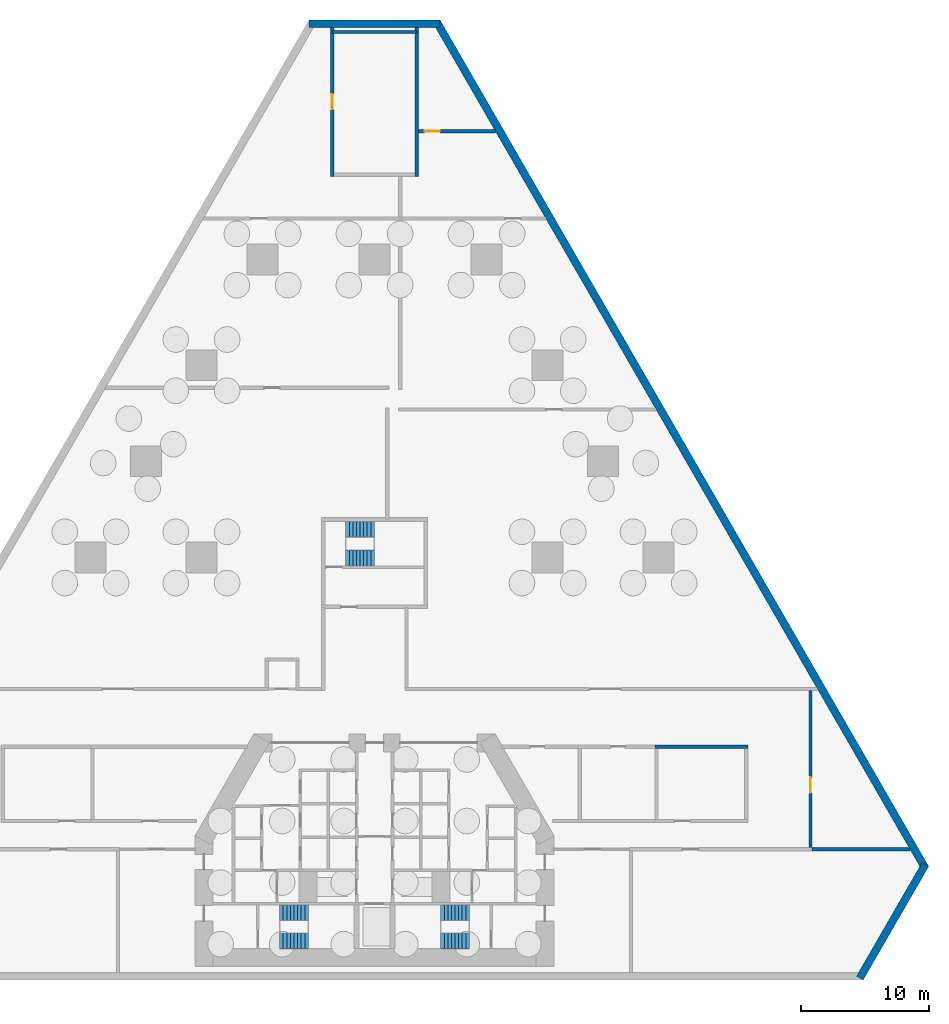
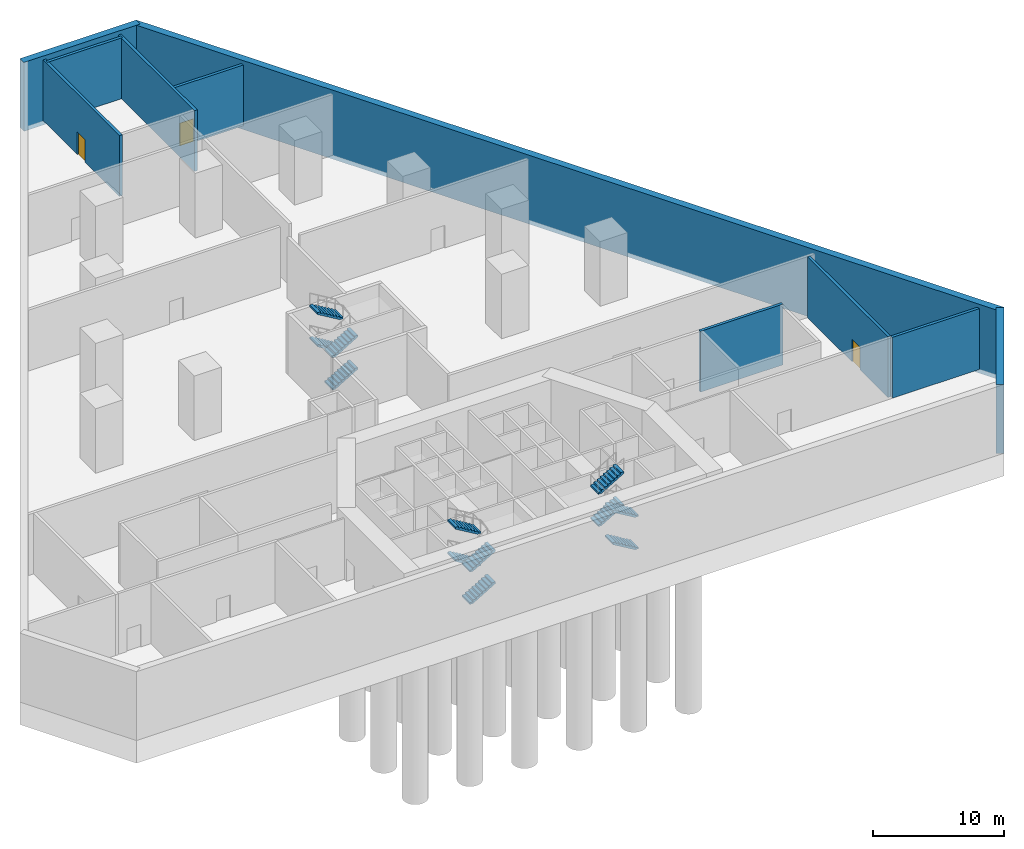
# One storey, part 6 of 8: 12 stair flights, 10 walls, 3 doors, 3 openings, 3 elements without a shape of their own.
"""IFC4 building model written with IfcOpenShell, lengths in metres."""

from ifc_helpers import new_model, si_unit, direction, frame, frame_2d, origin, place, context, subcontext, project, spatial, polyline, rectangle, outline, extrude, material, layer, layer_set, type_object, element, fill, aggregate, save


model = new_model("IFC4")

# Units and contexts
model_context = context("Model", 3, precision=1e-05, world=origin(), true_north=direction((0.0, 1.0)))
body_context = subcontext(model_context, "Body", "Model", "MODEL_VIEW")
ifc_project = project(units=[si_unit("LENGTHUNIT", "METRE"), si_unit("AREAUNIT", "SQUARE_METRE"), si_unit("VOLUMEUNIT", "CUBIC_METRE"), si_unit("PLANEANGLEUNIT", "RADIAN"), si_unit("MASSUNIT", "GRAM", prefix="KILO")], contexts=[model_context])

# Site, building, storey
site_placement = place(None, origin())
site = spatial("IfcSite", under=ifc_project, at=site_placement, CompositionType="ELEMENT")
building_placement = place(site_placement, origin())
building = spatial("IfcBuilding", under=site, at=building_placement, Name="Fogline Exchange Tower", CompositionType="ELEMENT")
storey_placement = place(building_placement, frame((0.0, 0.0, -14.0)))
storey = spatial("IfcBuildingStorey", under=building, at=storey_placement, Name="B2", CompositionType="ELEMENT", Elevation=-14.0)

# Walls
ifc_material_1 = material(Name="Concrete C40", Category="concrete")
ifc_layer_1 = layer(ifc_material_1, 0.25)
ifc_layer_set_1 = layer_set([ifc_layer_1], Name="PP3")
wall_type_1 = type_object("IfcWallType", Name="PP3", PredefinedType="SOLIDWALL", material=ifc_layer_set_1)
wall_1_placement = place(storey_placement, frame((34.125, 10.0, 0.0), z_axis=(0.0, 0.0, 1.0), x_axis=(1.0, 0.0, 0.0)))
element("IfcWall", 1, at=wall_1_placement, inside=storey, type_object=wall_type_1, Name="PP3 partition", PredefinedType="SOLIDWALL", context=body_context, shape_type="SweptSolid", body=[
    extrude(rectangle(XDim=7.6396484375, YDim=0.25, at=frame_2d((3.81982421875, 0.0))), origin(), (0.0, 0.0, 1.0), 5.64990234375),
])
wall_2_placement = place(storey_placement, frame((29.125, 18.0, 0.0), z_axis=(0.0, 0.0, 1.0), x_axis=(-1.0, 0.0, 0.0)))
element("IfcWall", 2, at=wall_2_placement, inside=storey, type_object=wall_type_1, Name="PP3 partition", PredefinedType="SOLIDWALL", context=body_context, shape_type="SweptSolid", body=[
    extrude(rectangle(XDim=7.25, YDim=0.25, at=frame_2d((3.625, 0.0))), origin(), (0.0, 0.0, 1.0), 5.64990234375),
])

# Wall, opening, door
wall_3_placement = place(storey_placement, frame((34.0, 22.375, 0.0), z_axis=(0.0, 0.0, 1.0), x_axis=(0.0, -1.0, 0.0)))
wall_3 = element("IfcWall", 3, at=wall_3_placement, inside=storey, type_object=wall_type_1, Name="PP3 partition", PredefinedType="SOLIDWALL", context=body_context, shape_type="SweptSolid", body=[
    extrude(rectangle(XDim=12.25, YDim=0.25, at=frame_2d((6.125, 0.0))), origin(), (0.0, 0.0, 1.0), 5.64990234375),
])
opening_1_placement = place(wall_3_placement, frame((6.77490234375, 0.0, 0.0)))
opening_1 = element("IfcOpeningElement", 4, at=opening_1_placement, cuts=wall_3, Name="Opening B2-D012", PredefinedType="OPENING", context=body_context, shape_type="SweptSolid", body=[
    extrude(rectangle(XDim=1.199951171875, YDim=2.10009765625, at=frame_2d((0.60009765625, 1.050048828125))), frame((0.0, 0.135009765625, 0.0), z_axis=(0.0, -1.0, 0.0), x_axis=(1.0, 0.0, 0.0)), (0.0, 0.0, 1.0), 0.27001953125),
])
ifc_material_2 = material(Name="Steel Q235B", Category="steel")
door_type = type_object("IfcDoorType", Name="PD7", OperationType="SINGLE_SWING_LEFT", PredefinedType="DOOR", material=ifc_material_2)
door_1_placement = place(opening_1_placement, origin())
door_1 = element("IfcDoor", 5, at=door_1_placement, inside=storey, type_object=door_type, Name="B2-D012", OperationType="SINGLE_SWING_RIGHT", OverallHeight=2.10009765625, OverallWidth=1.199951171875, PredefinedType="DOOR", context=body_context, shape_type="SweptSolid", body=[
    extrude(rectangle(XDim=1.199951171875, YDim=2.10009765625, at=frame_2d((0.60009765625, 1.050048828125))), frame((0.0, 0.02490234375, 0.0), z_axis=(0.0, -1.0, 0.0), x_axis=(1.0, 0.0, 0.0)), (0.0, 0.0, 1.0), 0.050048828125),
])
fill(opening_1, door_1)

wall_4_placement = place(storey_placement, frame((3.425048828125, 66.0, 0.0), z_axis=(0.0, 0.0, 1.0), x_axis=(1.0, 0.0, 0.0)))
wall_4 = element("IfcWall", 6, at=wall_4_placement, inside=storey, type_object=wall_type_1, Name="PP3 partition", PredefinedType="SOLIDWALL", context=body_context, shape_type="SweptSolid", body=[
    extrude(rectangle(XDim=6.008056640625, YDim=0.25, at=frame_2d((3.00390625, 0.0))), origin(), (0.0, 0.0, 1.0), 5.64990234375),
])
opening_2_placement = place(wall_4_placement, frame((0.47509765625, 0.0, 0.0)))
opening_2 = element("IfcOpeningElement", 7, at=opening_2_placement, cuts=wall_4, Name="Opening B2-D020", PredefinedType="OPENING", context=body_context, shape_type="SweptSolid", body=[
    extrude(rectangle(XDim=1.199951171875, YDim=2.10009765625, at=frame_2d((0.60009765625, 1.050048828125))), frame((0.0, 0.135009765625, 0.0), z_axis=(0.0, -1.0, 0.0), x_axis=(1.0, 0.0, 0.0)), (0.0, 0.0, 1.0), 0.27001953125),
])
door_2_placement = place(opening_2_placement, origin())
door_2 = element("IfcDoor", 8, at=door_2_placement, inside=storey, type_object=door_type, Name="B2-D020", OperationType="SINGLE_SWING_LEFT", OverallHeight=2.10009765625, OverallWidth=1.199951171875, PredefinedType="DOOR", context=body_context, shape_type="SweptSolid", body=[
    extrude(rectangle(XDim=1.199951171875, YDim=2.10009765625, at=frame_2d((0.60009765625, 1.050048828125))), frame((0.0, 0.02490234375, 0.0), z_axis=(0.0, -1.0, 0.0), x_axis=(1.0, 0.0, 0.0)), (0.0, 0.0, 1.0), 0.050048828125),
])
fill(opening_2, door_2)

ifc_layer_2 = layer(ifc_material_1, 0.25)
ifc_layer_set_2 = layer_set([ifc_layer_2], Name="PP6")
wall_type_2 = type_object("IfcWallType", Name="PP6", PredefinedType="SOLIDWALL", material=ifc_layer_set_2)
wall_5_placement = place(storey_placement, frame((-3.300048828125, 62.47509765625, 0.0), z_axis=(0.0, 0.0, 1.0), x_axis=(0.0, 1.0, 0.0)))
wall_5 = element("IfcWall", 9, at=wall_5_placement, inside=storey, type_object=wall_type_2, Name="PP6 bearing wall", PredefinedType="SOLIDWALL", context=body_context, shape_type="SweptSolid", body=[
    extrude(rectangle(XDim=11.60302734375, YDim=0.25, at=frame_2d((5.801513671875, 0.0))), origin(), (0.0, 0.0, 1.0), 5.64990234375),
])
opening_3_placement = place(wall_5_placement, frame((5.22509765625, 0.0, 0.0)))
opening_3 = element("IfcOpeningElement", 10, at=opening_3_placement, cuts=wall_5, Name="Opening B2-D021", PredefinedType="OPENING", context=body_context, shape_type="SweptSolid", body=[
    extrude(rectangle(XDim=1.199951171875, YDim=2.10009765625, at=frame_2d((0.60009765625, 1.050048828125))), frame((0.0, 0.135009765625, 0.0), z_axis=(0.0, -1.0, 0.0), x_axis=(1.0, 0.0, 0.0)), (0.0, 0.0, 1.0), 0.27001953125),
])
door_3_placement = place(opening_3_placement, frame((1.199951171875, 0.0, 0.0), z_axis=(0.0, 0.0, 1.0), x_axis=(-1.0, 0.0, 0.0)))
door_3 = element("IfcDoor", 11, at=door_3_placement, inside=storey, type_object=door_type, Name="B2-D021", OperationType="SINGLE_SWING_LEFT", OverallHeight=2.10009765625, OverallWidth=1.199951171875, PredefinedType="DOOR", context=body_context, shape_type="SweptSolid", body=[
    extrude(rectangle(XDim=1.199951171875, YDim=2.10009765625, at=frame_2d((0.60009765625, 1.050048828125))), frame((0.0, 0.02490234375, 0.0), z_axis=(0.0, -1.0, 0.0), x_axis=(1.0, 0.0, 0.0)), (0.0, 0.0, 1.0), 0.050048828125),
])
fill(opening_3, door_3)

# Walls
wall_6_placement = place(storey_placement, frame((3.300048828125, 74.078125, 0.0), z_axis=(0.0, 0.0, 1.0), x_axis=(0.0, -1.0, 0.0)))
element("IfcWall", 12, at=wall_6_placement, inside=storey, type_object=wall_type_2, Name="PP6 bearing wall", PredefinedType="SOLIDWALL", context=body_context, shape_type="SweptSolid", body=[
    extrude(rectangle(XDim=11.60302734375, YDim=0.25, at=frame_2d((5.801513671875, 0.0))), origin(), (0.0, 0.0, 1.0), 5.64990234375),
])
wall_7_placement = place(storey_placement, frame((-3.300048828125, 73.75, 0.0), z_axis=(0.0, 0.0, 1.0), x_axis=(1.0, 0.0, 0.0)))
element("IfcWall", 13, at=wall_7_placement, inside=storey, type_object=wall_type_2, Name="PP6 bearing wall", PredefinedType="SOLIDWALL", context=body_context, shape_type="SweptSolid", body=[
    extrude(rectangle(XDim=6.60009765625, YDim=0.25, at=frame_2d((3.300048828125, 0.0))), origin(), (0.0, 0.0, 1.0), 5.64990234375),
])
ifc_layer_3 = layer(ifc_material_1, 0.60009765625)
ifc_layer_set_3 = layer_set([ifc_layer_3], Name="RW01")
wall_type_3 = type_object("IfcWallType", Name="RW01", PredefinedType="SOLIDWALL", material=ifc_layer_set_3)
wall_8_placement = place(storey_placement, frame((37.855712890625, -0.050048828125, -0.39990234375), z_axis=(0.0, 0.0, 1.0), x_axis=(0.499996492717, 0.866027428706, 0.0)))
element("IfcWall", 14, at=wall_8_placement, inside=storey, type_object=wall_type_3, Name="B2-W903", PredefinedType="SOLIDWALL", context=body_context, shape_type="SweptSolid", body=[
    extrude(rectangle(XDim=10.23095703125, YDim=0.60009765625, at=frame_2d((5.115478515625, 0.0))), origin(), (0.0, 0.0, 1.0), 6.39990234375),
])
wall_9_placement = place(storey_placement, frame((42.97119140625, 8.51025390625, -0.39990234375), z_axis=(0.0, 0.0, 1.0), x_axis=(-0.499999312333, 0.866025800809, 0.0)))
element("IfcWall", 15, at=wall_9_placement, inside=storey, type_object=wall_type_3, Name="B2-W904", PredefinedType="SOLIDWALL", context=body_context, shape_type="SweptSolid", body=[
    extrude(rectangle(XDim=76.23095703125, YDim=0.60009765625, at=frame_2d((38.115478515625, 0.0))), origin(), (0.0, 0.0, 1.0), 6.39990234375),
])
wall_10_placement = place(storey_placement, frame((5.115478515625, 74.378173828125, -0.39990234375), z_axis=(0.0, 0.0, 1.0), x_axis=(-1.0, 0.0, 0.0)))
element("IfcWall", 16, at=wall_10_placement, inside=storey, type_object=wall_type_3, Name="B2-W905", PredefinedType="SOLIDWALL", context=body_context, shape_type="SweptSolid", body=[
    extrude(rectangle(XDim=10.23095703125, YDim=0.60009765625, at=frame_2d((5.115478515625, 0.0))), origin(), (0.0, 0.0, 1.0), 6.39990234375),
])

# Stair, stair flights
stair_type = type_object("IfcStairType", Name="STR36-1667W1200", PredefinedType="HALF_TURN_STAIR", material=ifc_material_1)
stair_1_placement = place(storey_placement, origin())
stair_1 = element("IfcStair", 17, at=stair_1_placement, inside=storey, type_object=stair_type, Name="Stair ST1", PredefinedType="HALF_TURN_STAIR")
stair_flight_type = type_object("IfcStairFlightType", Name="SF9-1667W1200", PredefinedType="STRAIGHT", material=ifc_material_1)
stair_flight_1_placement = place(storey_placement, frame((-7.39990234375, 2.85009765625, 0.0), z_axis=(0.0, 0.0, 1.0), x_axis=(1.0, 0.0, 0.0)))
stair_flight_1 = element("IfcStairFlight", 18, at=stair_flight_1_placement, type_object=stair_flight_type, Name="ST1 flight 1", NumberOfRisers=9, NumberOfTreads=8, PredefinedType="STRAIGHT", RiserHeight=0.166666667, TreadLength=0.28, context=body_context, shape_type="SweptSolid", body=[
    extrude(outline(polyline([(0.0, 0.0), (0.0, 0.166748046875), (0.280029296875, 0.166748046875), (0.280029296875, 0.333251953125), (0.56005859375, 0.333251953125), (0.56005859375, 0.5), (0.840087890625, 0.5), (0.840087890625, 0.666748046875), (1.1201171875, 0.666748046875), (1.1201171875, 0.833251953125), (1.39990234375, 0.833251953125), (1.39990234375, 1.0), (1.679931640625, 1.0), (1.679931640625, 1.166748046875), (1.9599609375, 1.166748046875), (1.9599609375, 1.333251953125), (2.239990234375, 1.333251953125), (2.239990234375, 1.5), (2.239990234375, 1.158935546875), (0.29296875, 0.0), (0.0, 0.0)])), frame((0.0, 0.60009765625, 0.0), z_axis=(0.0, -1.0, 0.0), x_axis=(1.0, 0.0, 0.0)), (0.0, 0.0, 1.0), 1.199951171875),
])
stair_flight_2_placement = place(storey_placement, frame((-5.159912109375, 5.050048828125, 1.5), z_axis=(0.0, 0.0, 1.0), x_axis=(-1.0, 0.0, 0.0)))
stair_flight_2 = element("IfcStairFlight", 19, at=stair_flight_2_placement, type_object=stair_flight_type, Name="ST1 flight 2", NumberOfRisers=9, NumberOfTreads=8, PredefinedType="STRAIGHT", RiserHeight=0.166666667, TreadLength=0.28, context=body_context, shape_type="SweptSolid", body=[
    extrude(outline(polyline([(0.0, 0.0), (0.0, 0.166748046875), (0.280029296875, 0.166748046875), (0.280029296875, 0.333251953125), (0.56005859375, 0.333251953125), (0.56005859375, 0.5), (0.840087890625, 0.5), (0.840087890625, 0.666748046875), (1.1201171875, 0.666748046875), (1.1201171875, 0.833251953125), (1.39990234375, 0.833251953125), (1.39990234375, 1.0), (1.679931640625, 1.0), (1.679931640625, 1.166748046875), (1.9599609375, 1.166748046875), (1.9599609375, 1.333251953125), (2.239990234375, 1.333251953125), (2.239990234375, 1.5), (2.239990234375, 1.158935546875), (0.29296875, 0.0), (0.0, 0.0)])), frame((0.0, 0.60009765625, 0.0), z_axis=(0.0, -1.0, 0.0), x_axis=(1.0, 0.0, 0.0)), (0.0, 0.0, 1.0), 1.199951171875),
])
stair_flight_3_placement = place(storey_placement, frame((-7.39990234375, 2.85009765625, 3.0), z_axis=(0.0, 0.0, 1.0), x_axis=(1.0, 0.0, 0.0)))
stair_flight_3 = element("IfcStairFlight", 20, at=stair_flight_3_placement, type_object=stair_flight_type, Name="ST1 flight 3", NumberOfRisers=9, NumberOfTreads=8, PredefinedType="STRAIGHT", RiserHeight=0.166666667, TreadLength=0.28, context=body_context, shape_type="SweptSolid", body=[
    extrude(outline(polyline([(0.0, 0.0), (0.0, 0.166748046875), (0.280029296875, 0.166748046875), (0.280029296875, 0.333251953125), (0.56005859375, 0.333251953125), (0.56005859375, 0.5), (0.840087890625, 0.5), (0.840087890625, 0.666748046875), (1.1201171875, 0.666748046875), (1.1201171875, 0.833251953125), (1.39990234375, 0.833251953125), (1.39990234375, 1.0), (1.679931640625, 1.0), (1.679931640625, 1.166748046875), (1.9599609375, 1.166748046875), (1.9599609375, 1.333251953125), (2.239990234375, 1.333251953125), (2.239990234375, 1.5), (2.239990234375, 1.158935546875), (0.29296875, 0.0), (0.0, 0.0)])), frame((0.0, 0.60009765625, 0.0), z_axis=(0.0, -1.0, 0.0), x_axis=(1.0, 0.0, 0.0)), (0.0, 0.0, 1.0), 1.199951171875),
])
stair_flight_4_placement = place(storey_placement, frame((-5.159912109375, 5.050048828125, 4.5), z_axis=(0.0, 0.0, 1.0), x_axis=(-1.0, 0.0, 0.0)))
stair_flight_4 = element("IfcStairFlight", 21, at=stair_flight_4_placement, type_object=stair_flight_type, Name="ST1 flight 4", NumberOfRisers=9, NumberOfTreads=8, PredefinedType="STRAIGHT", RiserHeight=0.166666667, TreadLength=0.28, context=body_context, shape_type="SweptSolid", body=[
    extrude(outline(polyline([(0.0, 0.0), (0.0, 0.166748046875), (0.280029296875, 0.166748046875), (0.280029296875, 0.333251953125), (0.56005859375, 0.333251953125), (0.56005859375, 0.5), (0.840087890625, 0.5), (0.840087890625, 0.666748046875), (1.1201171875, 0.666748046875), (1.1201171875, 0.833251953125), (1.39990234375, 0.833251953125), (1.39990234375, 1.0), (1.679931640625, 1.0), (1.679931640625, 1.166748046875), (1.9599609375, 1.166748046875), (1.9599609375, 1.333251953125), (2.239990234375, 1.333251953125), (2.239990234375, 1.5), (2.239990234375, 1.158935546875), (0.29296875, 0.0), (0.0, 0.0)])), frame((0.0, 0.60009765625, 0.0), z_axis=(0.0, -1.0, 0.0), x_axis=(1.0, 0.0, 0.0)), (0.0, 0.0, 1.0), 1.199951171875),
])
aggregate(stair_1, [stair_flight_1, stair_flight_2, stair_flight_3, stair_flight_4])

stair_2_placement = place(storey_placement, origin())
stair_2 = element("IfcStair", 22, at=stair_2_placement, inside=storey, type_object=stair_type, Name="Stair ST2", PredefinedType="HALF_TURN_STAIR")
stair_flight_5_placement = place(storey_placement, frame((7.39990234375, 2.85009765625, 0.0), z_axis=(0.0, 0.0, 1.0), x_axis=(-1.0, 0.0, 0.0)))
stair_flight_5 = element("IfcStairFlight", 23, at=stair_flight_5_placement, type_object=stair_flight_type, Name="ST2 flight 1", NumberOfRisers=9, NumberOfTreads=8, PredefinedType="STRAIGHT", RiserHeight=0.166666667, TreadLength=0.28, context=body_context, shape_type="SweptSolid", body=[
    extrude(outline(polyline([(0.0, 0.0), (0.0, 0.166748046875), (0.280029296875, 0.166748046875), (0.280029296875, 0.333251953125), (0.56005859375, 0.333251953125), (0.56005859375, 0.5), (0.840087890625, 0.5), (0.840087890625, 0.666748046875), (1.1201171875, 0.666748046875), (1.1201171875, 0.833251953125), (1.39990234375, 0.833251953125), (1.39990234375, 1.0), (1.679931640625, 1.0), (1.679931640625, 1.166748046875), (1.9599609375, 1.166748046875), (1.9599609375, 1.333251953125), (2.239990234375, 1.333251953125), (2.239990234375, 1.5), (2.239990234375, 1.158935546875), (0.29296875, 0.0), (0.0, 0.0)])), frame((0.0, 0.60009765625, 0.0), z_axis=(0.0, -1.0, 0.0), x_axis=(1.0, 0.0, 0.0)), (0.0, 0.0, 1.0), 1.199951171875),
])
stair_flight_6_placement = place(storey_placement, frame((5.159912109375, 5.050048828125, 1.5), z_axis=(0.0, 0.0, 1.0), x_axis=(1.0, 0.0, 0.0)))
stair_flight_6 = element("IfcStairFlight", 24, at=stair_flight_6_placement, type_object=stair_flight_type, Name="ST2 flight 2", NumberOfRisers=9, NumberOfTreads=8, PredefinedType="STRAIGHT", RiserHeight=0.166666667, TreadLength=0.28, context=body_context, shape_type="SweptSolid", body=[
    extrude(outline(polyline([(0.0, 0.0), (0.0, 0.166748046875), (0.280029296875, 0.166748046875), (0.280029296875, 0.333251953125), (0.56005859375, 0.333251953125), (0.56005859375, 0.5), (0.840087890625, 0.5), (0.840087890625, 0.666748046875), (1.1201171875, 0.666748046875), (1.1201171875, 0.833251953125), (1.39990234375, 0.833251953125), (1.39990234375, 1.0), (1.679931640625, 1.0), (1.679931640625, 1.166748046875), (1.9599609375, 1.166748046875), (1.9599609375, 1.333251953125), (2.239990234375, 1.333251953125), (2.239990234375, 1.5), (2.239990234375, 1.158935546875), (0.29296875, 0.0), (0.0, 0.0)])), frame((0.0, 0.60009765625, 0.0), z_axis=(0.0, -1.0, 0.0), x_axis=(1.0, 0.0, 0.0)), (0.0, 0.0, 1.0), 1.199951171875),
])
stair_flight_7_placement = place(storey_placement, frame((7.39990234375, 2.85009765625, 3.0), z_axis=(0.0, 0.0, 1.0), x_axis=(-1.0, 0.0, 0.0)))
stair_flight_7 = element("IfcStairFlight", 25, at=stair_flight_7_placement, type_object=stair_flight_type, Name="ST2 flight 3", NumberOfRisers=9, NumberOfTreads=8, PredefinedType="STRAIGHT", RiserHeight=0.166666667, TreadLength=0.28, context=body_context, shape_type="SweptSolid", body=[
    extrude(outline(polyline([(0.0, 0.0), (0.0, 0.166748046875), (0.280029296875, 0.166748046875), (0.280029296875, 0.333251953125), (0.56005859375, 0.333251953125), (0.56005859375, 0.5), (0.840087890625, 0.5), (0.840087890625, 0.666748046875), (1.1201171875, 0.666748046875), (1.1201171875, 0.833251953125), (1.39990234375, 0.833251953125), (1.39990234375, 1.0), (1.679931640625, 1.0), (1.679931640625, 1.166748046875), (1.9599609375, 1.166748046875), (1.9599609375, 1.333251953125), (2.239990234375, 1.333251953125), (2.239990234375, 1.5), (2.239990234375, 1.158935546875), (0.29296875, 0.0), (0.0, 0.0)])), frame((0.0, 0.60009765625, 0.0), z_axis=(0.0, -1.0, 0.0), x_axis=(1.0, 0.0, 0.0)), (0.0, 0.0, 1.0), 1.199951171875),
])
stair_flight_8_placement = place(storey_placement, frame((5.159912109375, 5.050048828125, 4.5), z_axis=(0.0, 0.0, 1.0), x_axis=(1.0, 0.0, 0.0)))
stair_flight_8 = element("IfcStairFlight", 26, at=stair_flight_8_placement, type_object=stair_flight_type, Name="ST2 flight 4", NumberOfRisers=9, NumberOfTreads=8, PredefinedType="STRAIGHT", RiserHeight=0.166666667, TreadLength=0.28, context=body_context, shape_type="SweptSolid", body=[
    extrude(outline(polyline([(0.0, 0.0), (0.0, 0.166748046875), (0.280029296875, 0.166748046875), (0.280029296875, 0.333251953125), (0.56005859375, 0.333251953125), (0.56005859375, 0.5), (0.840087890625, 0.5), (0.840087890625, 0.666748046875), (1.1201171875, 0.666748046875), (1.1201171875, 0.833251953125), (1.39990234375, 0.833251953125), (1.39990234375, 1.0), (1.679931640625, 1.0), (1.679931640625, 1.166748046875), (1.9599609375, 1.166748046875), (1.9599609375, 1.333251953125), (2.239990234375, 1.333251953125), (2.239990234375, 1.5), (2.239990234375, 1.158935546875), (0.29296875, 0.0), (0.0, 0.0)])), frame((0.0, 0.60009765625, 0.0), z_axis=(0.0, -1.0, 0.0), x_axis=(1.0, 0.0, 0.0)), (0.0, 0.0, 1.0), 1.199951171875),
])
aggregate(stair_2, [stair_flight_5, stair_flight_6, stair_flight_7, stair_flight_8])

stair_3_placement = place(storey_placement, origin())
stair_3 = element("IfcStair", 27, at=stair_3_placement, inside=storey, type_object=stair_type, Name="Stair ST3", PredefinedType="HALF_TURN_STAIR")
stair_flight_9_placement = place(storey_placement, frame((-2.25, 32.70703125, 0.0), z_axis=(0.0, 0.0, 1.0), x_axis=(1.0, 0.0, 0.0)))
stair_flight_9 = element("IfcStairFlight", 28, at=stair_flight_9_placement, type_object=stair_flight_type, Name="ST3 flight 1", NumberOfRisers=9, NumberOfTreads=8, PredefinedType="STRAIGHT", RiserHeight=0.166666667, TreadLength=0.28, context=body_context, shape_type="SweptSolid", body=[
    extrude(outline(polyline([(0.0, 0.0), (0.0, 0.166748046875), (0.280029296875, 0.166748046875), (0.280029296875, 0.333251953125), (0.56005859375, 0.333251953125), (0.56005859375, 0.5), (0.840087890625, 0.5), (0.840087890625, 0.666748046875), (1.1201171875, 0.666748046875), (1.1201171875, 0.833251953125), (1.39990234375, 0.833251953125), (1.39990234375, 1.0), (1.679931640625, 1.0), (1.679931640625, 1.166748046875), (1.9599609375, 1.166748046875), (1.9599609375, 1.333251953125), (2.239990234375, 1.333251953125), (2.239990234375, 1.5), (2.239990234375, 1.158935546875), (0.29296875, 0.0), (0.0, 0.0)])), frame((0.0, 0.60009765625, 0.0), z_axis=(0.0, -1.0, 0.0), x_axis=(1.0, 0.0, 0.0)), (0.0, 0.0, 1.0), 1.199951171875),
])
stair_flight_10_placement = place(storey_placement, frame((-0.010009765625, 34.95703125, 1.5), z_axis=(0.0, 0.0, 1.0), x_axis=(-1.0, 0.0, 0.0)))
stair_flight_10 = element("IfcStairFlight", 29, at=stair_flight_10_placement, type_object=stair_flight_type, Name="ST3 flight 2", NumberOfRisers=9, NumberOfTreads=8, PredefinedType="STRAIGHT", RiserHeight=0.166666667, TreadLength=0.28, context=body_context, shape_type="SweptSolid", body=[
    extrude(outline(polyline([(0.0, 0.0), (0.0, 0.166748046875), (0.280029296875, 0.166748046875), (0.280029296875, 0.333251953125), (0.56005859375, 0.333251953125), (0.56005859375, 0.5), (0.840087890625, 0.5), (0.840087890625, 0.666748046875), (1.1201171875, 0.666748046875), (1.1201171875, 0.833251953125), (1.39990234375, 0.833251953125), (1.39990234375, 1.0), (1.679931640625, 1.0), (1.679931640625, 1.166748046875), (1.9599609375, 1.166748046875), (1.9599609375, 1.333251953125), (2.239990234375, 1.333251953125), (2.239990234375, 1.5), (2.239990234375, 1.158935546875), (0.29296875, 0.0), (0.0, 0.0)])), frame((0.0, 0.60009765625, 0.0), z_axis=(0.0, -1.0, 0.0), x_axis=(1.0, 0.0, 0.0)), (0.0, 0.0, 1.0), 1.199951171875),
])
stair_flight_11_placement = place(storey_placement, frame((-2.25, 32.70703125, 3.0), z_axis=(0.0, 0.0, 1.0), x_axis=(1.0, 0.0, 0.0)))
stair_flight_11 = element("IfcStairFlight", 30, at=stair_flight_11_placement, type_object=stair_flight_type, Name="ST3 flight 3", NumberOfRisers=9, NumberOfTreads=8, PredefinedType="STRAIGHT", RiserHeight=0.166666667, TreadLength=0.28, context=body_context, shape_type="SweptSolid", body=[
    extrude(outline(polyline([(0.0, 0.0), (0.0, 0.166748046875), (0.280029296875, 0.166748046875), (0.280029296875, 0.333251953125), (0.56005859375, 0.333251953125), (0.56005859375, 0.5), (0.840087890625, 0.5), (0.840087890625, 0.666748046875), (1.1201171875, 0.666748046875), (1.1201171875, 0.833251953125), (1.39990234375, 0.833251953125), (1.39990234375, 1.0), (1.679931640625, 1.0), (1.679931640625, 1.166748046875), (1.9599609375, 1.166748046875), (1.9599609375, 1.333251953125), (2.239990234375, 1.333251953125), (2.239990234375, 1.5), (2.239990234375, 1.158935546875), (0.29296875, 0.0), (0.0, 0.0)])), frame((0.0, 0.60009765625, 0.0), z_axis=(0.0, -1.0, 0.0), x_axis=(1.0, 0.0, 0.0)), (0.0, 0.0, 1.0), 1.199951171875),
])
stair_flight_12_placement = place(storey_placement, frame((-0.010009765625, 34.95703125, 4.5), z_axis=(0.0, 0.0, 1.0), x_axis=(-1.0, 0.0, 0.0)))
stair_flight_12 = element("IfcStairFlight", 31, at=stair_flight_12_placement, type_object=stair_flight_type, Name="ST3 flight 4", NumberOfRisers=9, NumberOfTreads=8, PredefinedType="STRAIGHT", RiserHeight=0.166666667, TreadLength=0.28, context=body_context, shape_type="SweptSolid", body=[
    extrude(outline(polyline([(0.0, 0.0), (0.0, 0.166748046875), (0.280029296875, 0.166748046875), (0.280029296875, 0.333251953125), (0.56005859375, 0.333251953125), (0.56005859375, 0.5), (0.840087890625, 0.5), (0.840087890625, 0.666748046875), (1.1201171875, 0.666748046875), (1.1201171875, 0.833251953125), (1.39990234375, 0.833251953125), (1.39990234375, 1.0), (1.679931640625, 1.0), (1.679931640625, 1.166748046875), (1.9599609375, 1.166748046875), (1.9599609375, 1.333251953125), (2.239990234375, 1.333251953125), (2.239990234375, 1.5), (2.239990234375, 1.158935546875), (0.29296875, 0.0), (0.0, 0.0)])), frame((0.0, 0.60009765625, 0.0), z_axis=(0.0, -1.0, 0.0), x_axis=(1.0, 0.0, 0.0)), (0.0, 0.0, 1.0), 1.199951171875),
])
aggregate(stair_3, [stair_flight_9, stair_flight_10, stair_flight_11, stair_flight_12])

save(model, "model.ifc")
